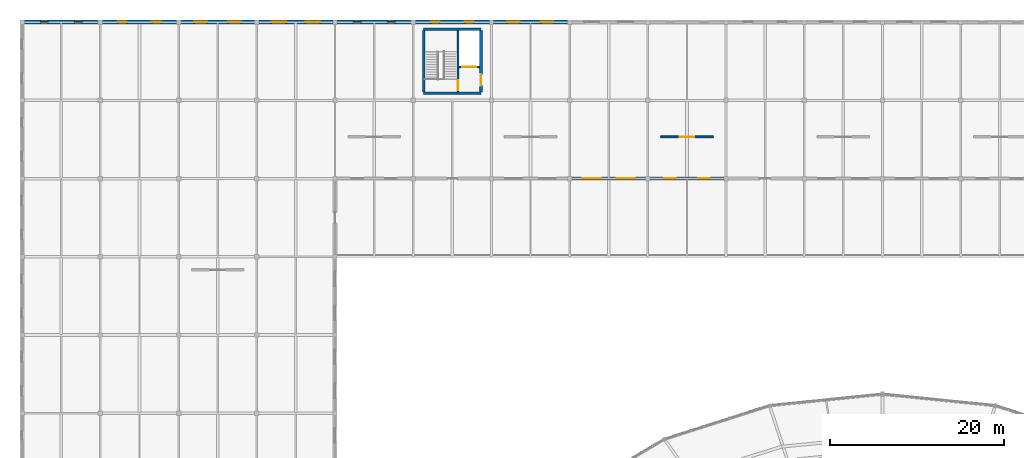
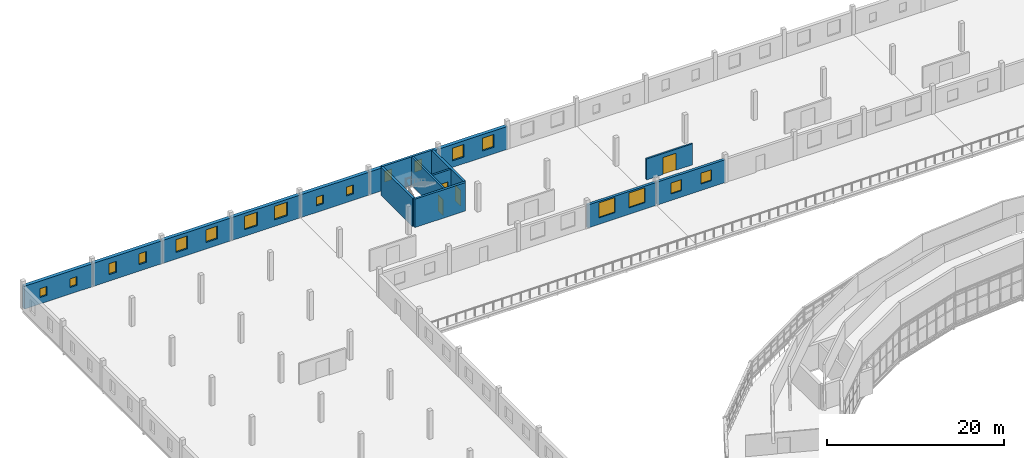
# One storey, part 109 of 123: 18 windows, 16 walls, 4 doors, 22 openings.
"""IFC4 building model written with IfcOpenShell, lengths in metres."""

import ifcopenshell
import ifcopenshell.guid

model = None  # the IFC model being written
_history = None  # IfcOwnerHistory: only IFC2X3 demands one
_inside = {}  # id of a spatial element -> (the spatial element, [elements in it])
_under = {}  # id of a project, library or spatial element -> (it, [spatial elements below it])
_declared = {}  # id of a project -> (the project, [libraries it declares])
_typed = {}  # id of a type object -> (the type object, [elements of that type])
_made_of = {}  # id of a material, layer set ... -> (it, [elements and type objects made of it])


def new_model(schema):
    """Start an empty IFC model of exactly this schema.

    Asked for "IFC4X3", IfcOpenShell would pick the latest addendum, in which some entities
    have other attributes; the version numbers below select the first issue.
    IFC2X3 requires an IfcOwnerHistory on every rooted entity: one is made here for all.
    """
    global model, _history
    if schema == "IFC4X3":
        model = ifcopenshell.file(schema_version=(4, 3, 0, 0))
    else:
        model = ifcopenshell.file(schema=schema)
    _inside.clear()
    _under.clear()
    _declared.clear()
    _typed.clear()
    _made_of.clear()
    _history = None
    if model.schema == "IFC2X3":
        org = make("IfcOrganization", Name="unknown")
        user = make(
            "IfcPersonAndOrganization",
            ThePerson=make("IfcPerson", FamilyName="unknown"),
            TheOrganization=org,
        )
        app = make(
            "IfcApplication",
            ApplicationDeveloper=org,
            Version="unknown",
            ApplicationFullName="unknown",
            ApplicationIdentifier="unknown",
        )
        _history = make(
            "IfcOwnerHistory",
            OwningUser=user,
            OwningApplication=app,
            ChangeAction="ADDED",
            CreationDate=0,
        )
    return model


def make(cls, **values):
    """One entity of the class cls with the attributes given. An attribute that is None is left unset."""
    return model.create_entity(
        cls, **{name: value for name, value in values.items() if value is not None}
    )


def rooted(cls, **values):
    """An entity with a GlobalId (a new one), such as an element, a storey or a relation."""
    return make(cls, GlobalId=ifcopenshell.guid.new(), OwnerHistory=_history, **values)


def si_unit(unit_type, name, prefix=None):
    """IfcSIUnit, for example si_unit("LENGTHUNIT", "METRE", prefix="MILLI")."""
    return make("IfcSIUnit", UnitType=unit_type, Prefix=prefix, Name=name)


def assignment(units):
    """IfcUnitAssignment: the units of a project."""
    return None if units is None else make("IfcUnitAssignment", Units=units)


def point(xyz):
    """IfcCartesianPoint."""
    return None if xyz is None else make("IfcCartesianPoint", Coordinates=xyz)


def direction(xyz):
    """IfcDirection."""
    return None if xyz is None else make("IfcDirection", DirectionRatios=xyz)


def frame(location, z_axis=None, x_axis=None):
    """IfcAxis2Placement3D, a coordinate frame: its origin and axes. An axis left out is left unset."""
    return make(
        "IfcAxis2Placement3D",
        Location=point(location),
        Axis=direction(z_axis),
        RefDirection=direction(x_axis),
    )


def frame_2d(location, x_axis=None):
    """IfcAxis2Placement2D, a coordinate frame in the plane: its origin and x axis."""
    return make(
        "IfcAxis2Placement2D", Location=point(location), RefDirection=direction(x_axis)
    )


def origin():
    """The frame at (0, 0, 0) with its axes left unset."""
    return frame((0.0, 0.0, 0.0))


def place(relative_to, where):
    """IfcLocalPlacement: puts the frame where relative to a parent placement (None: the world)."""
    return make(
        "IfcLocalPlacement", PlacementRelTo=relative_to, RelativePlacement=where
    )


def context(
    kind, dimensions, precision=None, world=None, true_north=None, identifier=None
):
    """IfcGeometricRepresentationContext, for example the 3D "Model" context."""
    return make(
        "IfcGeometricRepresentationContext",
        ContextIdentifier=identifier,
        ContextType=kind,
        CoordinateSpaceDimension=dimensions,
        Precision=precision,
        WorldCoordinateSystem=world,
        TrueNorth=true_north,
    )


def subcontext(parent, identifier, kind, view, scale=None):
    """IfcGeometricRepresentationSubContext, for example "Body" below "Model"."""
    return make(
        "IfcGeometricRepresentationSubContext",
        ContextIdentifier=identifier,
        ContextType=kind,
        ParentContext=parent,
        TargetScale=scale,
        TargetView=view,
    )


def project(units=None, contexts=None):
    """IfcProject with its units and contexts."""
    return rooted(
        "IfcProject",
        Name="project",
        RepresentationContexts=contexts,
        UnitsInContext=assignment(units),
    )


def spatial(cls, under=None, at=None, **own):
    """A site, building, storey or space (cls), placed at a placement, below another one or the project."""
    s = rooted(cls, ObjectPlacement=at, **own)
    if under is not None:
        _under.setdefault(under.id(), (under, []))[1].append(s)
    return s


def profile(cls, at=None, kind="AREA", **sizes):
    """A parametric profile (cls). Its sizes go by their IFC names, for example OverallWidth=200.0."""
    return make(cls, ProfileType=kind, Position=at, **sizes)


def rectangle(**sizes):
    """IfcRectangleProfileDef."""
    return profile("IfcRectangleProfileDef", **sizes)


def extrude(swept, where, along, depth):
    """IfcExtrudedAreaSolid: the profile swept, set in the frame where, extruded along a direction by depth."""
    return make(
        "IfcExtrudedAreaSolid",
        SweptArea=swept,
        Position=where,
        ExtrudedDirection=direction(along),
        Depth=depth,
    )


def shape(context_of_items, identifier, shape_type, items):
    """IfcShapeRepresentation: the items that make up one representation, for example the "Body"."""
    return make(
        "IfcShapeRepresentation",
        ContextOfItems=context_of_items,
        RepresentationIdentifier=identifier,
        RepresentationType=shape_type,
        Items=items,
    )


def material(Name=None, Category=None):
    """IfcMaterial."""
    return make("IfcMaterial", Name=Name, Category=Category)


def layer(
    of_material, thickness, ventilated=None, Name=None, Category=None, Priority=None
):
    """IfcMaterialLayer: one layer of a wall or slab, of a material (None: an air gap)."""
    return make(
        "IfcMaterialLayer",
        Material=of_material,
        LayerThickness=thickness,
        IsVentilated=ventilated,
        Name=Name,
        Category=Category,
        Priority=Priority,
    )


def layer_set(layers, Name=None):
    """IfcMaterialLayerSet."""
    return make("IfcMaterialLayerSet", MaterialLayers=layers, LayerSetName=Name)


def made_of(thing, what):
    """Note that an element or type object is made of a material, layer set ...; save() writes the relation."""
    if what is not None:
        _made_of.setdefault(what.id(), (what, []))[1].append(thing)
    return thing


def type_object(cls, material=None, **own):
    """A type object (cls), such as IfcWallType, which elements share."""
    return made_of(rooted(cls, **own), material)


def element(
    cls,
    number,
    at=None,
    inside=None,
    cuts=None,
    type_object=None,
    material=None,
    context=None,
    identifier="Body",
    shape_type=None,
    held_by="IfcProductDefinitionShape",
    body=None,
    shapes=None,
    **own,
):
    """One element of the class cls, such as IfcWall. Its Tag is "e" and its number.

    at: its placement. inside: the storey or other place that contains it. cuts: it is an
    opening in that element (IfcRelVoidsElement). A single representation is given by context,
    identifier, shape_type and body (its items); several are given by shapes. held_by: the class
    of the entity that holds the representations. save() writes the other relations.
    """
    e = rooted(cls, Tag="e%d" % number, ObjectPlacement=at, **own)
    if body is not None:
        shapes = [shape(context, identifier, shape_type, body)]
    if shapes is not None:
        e.Representation = make(held_by, Representations=shapes)
    if inside is not None:
        _inside.setdefault(inside.id(), (inside, []))[1].append(e)
    if cuts is not None:
        rooted(
            "IfcRelVoidsElement", RelatingBuildingElement=cuts, RelatedOpeningElement=e
        )
    if type_object is not None:
        _typed.setdefault(type_object.id(), (type_object, []))[1].append(e)
    return made_of(e, material)


def fill(opening, filler):
    """IfcRelFillsElement: the door or window that sits in an opening."""
    return rooted(
        "IfcRelFillsElement",
        RelatingOpeningElement=opening,
        RelatedBuildingElement=filler,
    )


def aggregate(whole, parts):
    """IfcRelAggregates: a whole, such as a stair, and the parts it consists of."""
    return rooted("IfcRelAggregates", RelatingObject=whole, RelatedObjects=parts)


def save(model, path):
    """Write the relations noted so far, then the file.

    IfcRelAggregates (storeys below a building ...), IfcRelContainedInSpatialStructure (elements
    in a storey), IfcRelDefinesByType, IfcRelAssociatesMaterial and IfcRelDeclares: one each for
    every whole, place, type object, material and project.
    """
    for whole, parts in _under.values():
        aggregate(whole, parts)
    for where, things in _inside.values():
        rooted(
            "IfcRelContainedInSpatialStructure",
            RelatedElements=things,
            RelatingStructure=where,
        )
    for kind, things in _typed.values():
        rooted("IfcRelDefinesByType", RelatedObjects=things, RelatingType=kind)
    for what, things in _made_of.values():
        rooted("IfcRelAssociatesMaterial", RelatedObjects=things, RelatingMaterial=what)
    for by, libraries in _declared.values():
        rooted("IfcRelDeclares", RelatingContext=by, RelatedDefinitions=libraries)
    model.write(path)


model = new_model("IFC4")

# Units and contexts
model_context = context("Model", 3, precision=1e-05, world=origin(), true_north=direction((0.0, 1.0)))
body_context = subcontext(model_context, "Body", "Model", "MODEL_VIEW")
ifc_project = project(units=[si_unit("LENGTHUNIT", "METRE"), si_unit("AREAUNIT", "SQUARE_METRE"), si_unit("VOLUMEUNIT", "CUBIC_METRE"), si_unit("PLANEANGLEUNIT", "RADIAN"), si_unit("MASSUNIT", "GRAM", prefix="KILO")], contexts=[model_context])

# Site, building, storey
site_placement = place(None, origin())
site = spatial("IfcSite", under=ifc_project, at=site_placement, CompositionType="ELEMENT")
building_placement = place(site_placement, origin())
building = spatial("IfcBuilding", under=site, at=building_placement, Name="Kildeholm Park Wholesale Market", CompositionType="ELEMENT")
storey_placement = place(building_placement, frame((0.0, 0.0, 9.60009765625)))
storey = spatial("IfcBuildingStorey", under=building, at=storey_placement, Name="L02", CompositionType="ELEMENT", Elevation=9.60009765625)

# Wall, openings, windows
ifc_material_1 = material(Name="Precast concrete C40/50 ripening envelope wall", Category="concrete")
ifc_layer_1 = layer(ifc_material_1, 0.449951171875)
ifc_layer_set_1 = layer_set([ifc_layer_1], Name="Precast concrete C40/50 ripening envelope wall")
wall_type_1 = type_object("IfcWallType", Name="Exterior wall W-CS3 450 mm", PredefinedType="SOLIDWALL", material=ifc_layer_set_1)
wall_1_placement = place(storey_placement, frame((0.06005859375, 171.0, 0.0), z_axis=(0.0, 0.0, 1.0), x_axis=(1.0, 0.0, 0.0)))
wall_1 = element("IfcWall", 1, at=wall_1_placement, inside=storey, type_object=wall_type_1, Name="Exterior wall V4N-L02.1 WL-0357", PredefinedType="SOLIDWALL", context=body_context, shape_type="SweptSolid", body=[
    extrude(rectangle(XDim=8.8798828125, YDim=0.449951171875, at=frame_2d((4.43994140625, 0.0))), origin(), (0.0, 0.0, 1.0), 3.14990234375),
])
opening_1_placement = place(wall_1_placement, frame((2.035888671875, 0.0, 0.89990234375)))
opening_1 = element("IfcOpeningElement", 2, at=opening_1_placement, cuts=wall_1, Name="Opening WN-17", PredefinedType="OPENING", context=body_context, shape_type="SweptSolid", body=[
    extrude(rectangle(XDim=0.89990234375, YDim=1.199951171875, at=frame_2d((0.449951171875, 0.60009765625))), frame((0.0, 0.23486328125, 0.0), z_axis=(0.0, -1.0, 0.0), x_axis=(1.0, 0.0, 0.0)), (0.0, 0.0, 1.0), 0.469970703125),
])
opening_2_placement = place(wall_1_placement, frame((5.944091796875, 0.0, 0.89990234375)))
opening_2 = element("IfcOpeningElement", 3, at=opening_2_placement, cuts=wall_1, Name="Opening WN-17", PredefinedType="OPENING", context=body_context, shape_type="SweptSolid", body=[
    extrude(rectangle(XDim=0.89990234375, YDim=1.199951171875, at=frame_2d((0.449951171875, 0.60009765625))), frame((0.0, 0.23486328125, 0.0), z_axis=(0.0, -1.0, 0.0), x_axis=(1.0, 0.0, 0.0)), (0.0, 0.0, 1.0), 0.469970703125),
])
ifc_material_2 = material(Name="Thermally broken aluminium and triple-glazed low-E glass", Category="aluminium")
window_type_1 = type_object("IfcWindowType", Name="Window WN-17 900x1200", PartitioningType="SINGLE_PANEL", PredefinedType="WINDOW", material=ifc_material_2)
window_1_placement = place(opening_1_placement, origin())
window_1 = element("IfcWindow", 4, at=window_1_placement, inside=storey, type_object=window_type_1, Name="Window V4N-L02.1.1 WIN-0141", OverallHeight=1.199951171875, OverallWidth=0.89990234375, PartitioningType="SINGLE_PANEL", PredefinedType="WINDOW", context=body_context, shape_type="SweptSolid", body=[
    extrude(rectangle(XDim=0.89990234375, YDim=1.199951171875, at=frame_2d((0.449951171875, 0.60009765625))), frame((0.0, 0.030029296875, 0.0), z_axis=(0.0, -1.0, 0.0), x_axis=(1.0, 0.0, 0.0)), (0.0, 0.0, 1.0), 0.06005859375),
])
fill(opening_1, window_1)
window_2_placement = place(opening_2_placement, origin())
window_2 = element("IfcWindow", 5, at=window_2_placement, inside=storey, type_object=window_type_1, Name="Window V4N-L02.1.2 WIN-0142", OverallHeight=1.199951171875, OverallWidth=0.89990234375, PartitioningType="SINGLE_PANEL", PredefinedType="WINDOW", context=body_context, shape_type="SweptSolid", body=[
    extrude(rectangle(XDim=0.89990234375, YDim=1.199951171875, at=frame_2d((0.449951171875, 0.60009765625))), frame((0.0, 0.030029296875, 0.0), z_axis=(0.0, -1.0, 0.0), x_axis=(1.0, 0.0, 0.0)), (0.0, 0.0, 1.0), 0.06005859375),
])
fill(opening_2, window_2)

wall_2_placement = place(storey_placement, frame((9.06005859375, 171.0, 0.0), z_axis=(0.0, 0.0, 1.0), x_axis=(1.0, 0.0, 0.0)))
wall_2 = element("IfcWall", 6, at=wall_2_placement, inside=storey, type_object=wall_type_1, Name="Exterior wall V4N-L02.2 WL-0358", PredefinedType="SOLIDWALL", context=body_context, shape_type="SweptSolid", body=[
    extrude(rectangle(XDim=8.8798828125, YDim=0.449951171875, at=frame_2d((4.43994140625, 0.0))), origin(), (0.0, 0.0, 1.0), 3.14990234375),
])
opening_3_placement = place(wall_2_placement, frame((1.986083984375, 0.0, 0.89990234375)))
opening_3 = element("IfcOpeningElement", 7, at=opening_3_placement, cuts=wall_2, Name="Opening WN-09", PredefinedType="OPENING", context=body_context, shape_type="SweptSolid", body=[
    extrude(rectangle(XDim=1.0, YDim=1.5, at=frame_2d((0.5, 0.75))), frame((0.0, 0.23486328125, 0.0), z_axis=(0.0, -1.0, 0.0), x_axis=(1.0, 0.0, 0.0)), (0.0, 0.0, 1.0), 0.469970703125),
])
opening_4_placement = place(wall_2_placement, frame((5.89404296875, 0.0, 0.89990234375)))
opening_4 = element("IfcOpeningElement", 8, at=opening_4_placement, cuts=wall_2, Name="Opening WN-09", PredefinedType="OPENING", context=body_context, shape_type="SweptSolid", body=[
    extrude(rectangle(XDim=1.0, YDim=1.5, at=frame_2d((0.5, 0.75))), frame((0.0, 0.23486328125, 0.0), z_axis=(0.0, -1.0, 0.0), x_axis=(1.0, 0.0, 0.0)), (0.0, 0.0, 1.0), 0.469970703125),
])
window_type_2 = type_object("IfcWindowType", Name="Window WN-09 1000x1500", PartitioningType="SINGLE_PANEL", PredefinedType="WINDOW", material=ifc_material_2)
window_3_placement = place(opening_3_placement, origin())
window_3 = element("IfcWindow", 9, at=window_3_placement, inside=storey, type_object=window_type_2, Name="Window V4N-L02.2.1 WIN-0143", OverallHeight=1.5, OverallWidth=1.0, PartitioningType="SINGLE_PANEL", PredefinedType="WINDOW", context=body_context, shape_type="SweptSolid", body=[
    extrude(rectangle(XDim=1.0, YDim=1.5, at=frame_2d((0.5, 0.75))), frame((0.0, 0.030029296875, 0.0), z_axis=(0.0, -1.0, 0.0), x_axis=(1.0, 0.0, 0.0)), (0.0, 0.0, 1.0), 0.06005859375),
])
fill(opening_3, window_3)
window_4_placement = place(opening_4_placement, origin())
window_4 = element("IfcWindow", 10, at=window_4_placement, inside=storey, type_object=window_type_2, Name="Window V4N-L02.2.2 WIN-0144", OverallHeight=1.5, OverallWidth=1.0, PartitioningType="SINGLE_PANEL", PredefinedType="WINDOW", context=body_context, shape_type="SweptSolid", body=[
    extrude(rectangle(XDim=1.0, YDim=1.5, at=frame_2d((0.5, 0.75))), frame((0.0, 0.030029296875, 0.0), z_axis=(0.0, -1.0, 0.0), x_axis=(1.0, 0.0, 0.0)), (0.0, 0.0, 1.0), 0.06005859375),
])
fill(opening_4, window_4)

wall_3_placement = place(storey_placement, frame((18.06005859375, 171.0, 0.0), z_axis=(0.0, 0.0, 1.0), x_axis=(1.0, 0.0, 0.0)))
wall_3 = element("IfcWall", 11, at=wall_3_placement, inside=storey, type_object=wall_type_1, Name="Exterior wall V4N-L02.3 WL-0359", PredefinedType="SOLIDWALL", context=body_context, shape_type="SweptSolid", body=[
    extrude(rectangle(XDim=8.8798828125, YDim=0.449951171875, at=frame_2d((4.43994140625, 0.0))), origin(), (0.0, 0.0, 1.0), 3.14990234375),
])
opening_5_placement = place(wall_3_placement, frame((1.74609375, 0.0, 0.89990234375)))
opening_5 = element("IfcOpeningElement", 12, at=opening_5_placement, cuts=wall_3, Name="Opening WN-37", PredefinedType="OPENING", context=body_context, shape_type="SweptSolid", body=[
    extrude(rectangle(XDim=1.47998046875, YDim=1.75, at=frame_2d((0.739990234375, 0.875))), frame((0.0, 0.23486328125, 0.0), z_axis=(0.0, -1.0, 0.0), x_axis=(1.0, 0.0, 0.0)), (0.0, 0.0, 1.0), 0.469970703125),
])
opening_6_placement = place(wall_3_placement, frame((5.654052734375, 0.0, 0.89990234375)))
opening_6 = element("IfcOpeningElement", 13, at=opening_6_placement, cuts=wall_3, Name="Opening WN-37", PredefinedType="OPENING", context=body_context, shape_type="SweptSolid", body=[
    extrude(rectangle(XDim=1.47998046875, YDim=1.75, at=frame_2d((0.739990234375, 0.875))), frame((0.0, 0.23486328125, 0.0), z_axis=(0.0, -1.0, 0.0), x_axis=(1.0, 0.0, 0.0)), (0.0, 0.0, 1.0), 0.469970703125),
])
window_type_3 = type_object("IfcWindowType", Name="Window WN-37 1480x1750", PartitioningType="DOUBLE_PANEL_VERTICAL", PredefinedType="WINDOW", material=ifc_material_2)
window_5_placement = place(opening_5_placement, origin())
window_5 = element("IfcWindow", 14, at=window_5_placement, inside=storey, type_object=window_type_3, Name="Window V4N-L02.3.1 WIN-0145", OverallHeight=1.75, OverallWidth=1.47998046875, PartitioningType="SINGLE_PANEL", PredefinedType="WINDOW", context=body_context, shape_type="SweptSolid", body=[
    extrude(rectangle(XDim=1.47998046875, YDim=1.75, at=frame_2d((0.739990234375, 0.875))), frame((0.0, 0.030029296875, 0.0), z_axis=(0.0, -1.0, 0.0), x_axis=(1.0, 0.0, 0.0)), (0.0, 0.0, 1.0), 0.06005859375),
])
fill(opening_5, window_5)
window_6_placement = place(opening_6_placement, origin())
window_6 = element("IfcWindow", 15, at=window_6_placement, inside=storey, type_object=window_type_3, Name="Window V4N-L02.3.2 WIN-0146", OverallHeight=1.75, OverallWidth=1.47998046875, PartitioningType="SINGLE_PANEL", PredefinedType="WINDOW", context=body_context, shape_type="SweptSolid", body=[
    extrude(rectangle(XDim=1.47998046875, YDim=1.75, at=frame_2d((0.739990234375, 0.875))), frame((0.0, 0.030029296875, 0.0), z_axis=(0.0, -1.0, 0.0), x_axis=(1.0, 0.0, 0.0)), (0.0, 0.0, 1.0), 0.06005859375),
])
fill(opening_6, window_6)

wall_4_placement = place(storey_placement, frame((27.06005859375, 171.0, 0.0), z_axis=(0.0, 0.0, 1.0), x_axis=(1.0, 0.0, 0.0)))
wall_4 = element("IfcWall", 16, at=wall_4_placement, inside=storey, type_object=wall_type_1, Name="Exterior wall V4N-L02.4 WL-0360", PredefinedType="SOLIDWALL", context=body_context, shape_type="SweptSolid", body=[
    extrude(rectangle(XDim=8.8798828125, YDim=0.449951171875, at=frame_2d((4.43994140625, 0.0))), origin(), (0.0, 0.0, 1.0), 3.14990234375),
])
opening_7_placement = place(wall_4_placement, frame((1.64599609375, 0.0, 0.89990234375)))
opening_7 = element("IfcOpeningElement", 17, at=opening_7_placement, cuts=wall_4, Name="Opening WN-38", PredefinedType="OPENING", context=body_context, shape_type="SweptSolid", body=[
    extrude(rectangle(XDim=1.679931640625, YDim=1.85009765625, at=frame_2d((0.83984375, 0.925048828125))), frame((0.0, 0.23486328125, 0.0), z_axis=(0.0, -1.0, 0.0), x_axis=(1.0, 0.0, 0.0)), (0.0, 0.0, 1.0), 0.469970703125),
])
opening_8_placement = place(wall_4_placement, frame((5.553955078125, 0.0, 0.89990234375)))
opening_8 = element("IfcOpeningElement", 18, at=opening_8_placement, cuts=wall_4, Name="Opening WN-38", PredefinedType="OPENING", context=body_context, shape_type="SweptSolid", body=[
    extrude(rectangle(XDim=1.679931640625, YDim=1.85009765625, at=frame_2d((0.83984375, 0.925048828125))), frame((0.0, 0.23486328125, 0.0), z_axis=(0.0, -1.0, 0.0), x_axis=(1.0, 0.0, 0.0)), (0.0, 0.0, 1.0), 0.469970703125),
])
window_type_4 = type_object("IfcWindowType", Name="Window WN-38 1680x1850", PartitioningType="DOUBLE_PANEL_VERTICAL", PredefinedType="WINDOW", material=ifc_material_2)
window_7_placement = place(opening_7_placement, origin())
window_7 = element("IfcWindow", 19, at=window_7_placement, inside=storey, type_object=window_type_4, Name="Window V4N-L02.4.1 WIN-0147", OverallHeight=1.85009765625, OverallWidth=1.679931640625, PartitioningType="SINGLE_PANEL", PredefinedType="WINDOW", context=body_context, shape_type="SweptSolid", body=[
    extrude(rectangle(XDim=1.679931640625, YDim=1.85009765625, at=frame_2d((0.83984375, 0.925048828125))), frame((0.0, 0.030029296875, 0.0), z_axis=(0.0, -1.0, 0.0), x_axis=(1.0, 0.0, 0.0)), (0.0, 0.0, 1.0), 0.06005859375),
])
fill(opening_7, window_7)
window_8_placement = place(opening_8_placement, origin())
window_8 = element("IfcWindow", 20, at=window_8_placement, inside=storey, type_object=window_type_4, Name="Window V4N-L02.4.2 WIN-0148", OverallHeight=1.85009765625, OverallWidth=1.679931640625, PartitioningType="SINGLE_PANEL", PredefinedType="WINDOW", context=body_context, shape_type="SweptSolid", body=[
    extrude(rectangle(XDim=1.679931640625, YDim=1.85009765625, at=frame_2d((0.83984375, 0.925048828125))), frame((0.0, 0.030029296875, 0.0), z_axis=(0.0, -1.0, 0.0), x_axis=(1.0, 0.0, 0.0)), (0.0, 0.0, 1.0), 0.06005859375),
])
fill(opening_8, window_8)

wall_5_placement = place(storey_placement, frame((36.06005859375, 171.0, 0.0), z_axis=(0.0, 0.0, 1.0), x_axis=(1.0, 0.0, 0.0)))
wall_5 = element("IfcWall", 21, at=wall_5_placement, inside=storey, type_object=wall_type_1, Name="Exterior wall V4N-L02.5 WL-0361", PredefinedType="SOLIDWALL", context=body_context, shape_type="SweptSolid", body=[
    extrude(rectangle(XDim=8.8798828125, YDim=0.449951171875, at=frame_2d((4.43994140625, 0.0))), origin(), (0.0, 0.0, 1.0), 3.14990234375),
])
opening_9_placement = place(wall_5_placement, frame((2.035888671875, 0.0, 0.89990234375)))
opening_9 = element("IfcOpeningElement", 22, at=opening_9_placement, cuts=wall_5, Name="Opening WN-17", PredefinedType="OPENING", context=body_context, shape_type="SweptSolid", body=[
    extrude(rectangle(XDim=0.89990234375, YDim=1.199951171875, at=frame_2d((0.449951171875, 0.60009765625))), frame((0.0, 0.23486328125, 0.0), z_axis=(0.0, -1.0, 0.0), x_axis=(1.0, 0.0, 0.0)), (0.0, 0.0, 1.0), 0.469970703125),
])
opening_10_placement = place(wall_5_placement, frame((5.944091796875, 0.0, 0.89990234375)))
opening_10 = element("IfcOpeningElement", 23, at=opening_10_placement, cuts=wall_5, Name="Opening WN-17", PredefinedType="OPENING", context=body_context, shape_type="SweptSolid", body=[
    extrude(rectangle(XDim=0.89990234375, YDim=1.199951171875, at=frame_2d((0.449951171875, 0.60009765625))), frame((0.0, 0.23486328125, 0.0), z_axis=(0.0, -1.0, 0.0), x_axis=(1.0, 0.0, 0.0)), (0.0, 0.0, 1.0), 0.469970703125),
])
window_9_placement = place(opening_9_placement, origin())
window_9 = element("IfcWindow", 24, at=window_9_placement, inside=storey, type_object=window_type_1, Name="Window V4N-L02.5.1 WIN-0149", OverallHeight=1.199951171875, OverallWidth=0.89990234375, PartitioningType="SINGLE_PANEL", PredefinedType="WINDOW", context=body_context, shape_type="SweptSolid", body=[
    extrude(rectangle(XDim=0.89990234375, YDim=1.199951171875, at=frame_2d((0.449951171875, 0.60009765625))), frame((0.0, 0.030029296875, 0.0), z_axis=(0.0, -1.0, 0.0), x_axis=(1.0, 0.0, 0.0)), (0.0, 0.0, 1.0), 0.06005859375),
])
fill(opening_9, window_9)
window_10_placement = place(opening_10_placement, origin())
window_10 = element("IfcWindow", 25, at=window_10_placement, inside=storey, type_object=window_type_1, Name="Window V4N-L02.5.2 WIN-0150", OverallHeight=1.199951171875, OverallWidth=0.89990234375, PartitioningType="SINGLE_PANEL", PredefinedType="WINDOW", context=body_context, shape_type="SweptSolid", body=[
    extrude(rectangle(XDim=0.89990234375, YDim=1.199951171875, at=frame_2d((0.449951171875, 0.60009765625))), frame((0.0, 0.030029296875, 0.0), z_axis=(0.0, -1.0, 0.0), x_axis=(1.0, 0.0, 0.0)), (0.0, 0.0, 1.0), 0.06005859375),
])
fill(opening_10, window_10)

wall_6_placement = place(storey_placement, frame((45.06005859375, 171.0, 0.0), z_axis=(0.0, 0.0, 1.0), x_axis=(1.0, 0.0, 0.0)))
wall_6 = element("IfcWall", 26, at=wall_6_placement, inside=storey, type_object=wall_type_1, Name="Exterior wall V4N-L02.6 WL-0362", PredefinedType="SOLIDWALL", context=body_context, shape_type="SweptSolid", body=[
    extrude(rectangle(XDim=8.8798828125, YDim=0.449951171875, at=frame_2d((4.43994140625, 0.0))), origin(), (0.0, 0.0, 1.0), 3.14990234375),
])
opening_11_placement = place(wall_6_placement, frame((1.986083984375, 0.0, 0.89990234375)))
opening_11 = element("IfcOpeningElement", 27, at=opening_11_placement, cuts=wall_6, Name="Opening WN-09", PredefinedType="OPENING", context=body_context, shape_type="SweptSolid", body=[
    extrude(rectangle(XDim=1.0, YDim=1.5, at=frame_2d((0.5, 0.75))), frame((0.0, 0.23486328125, 0.0), z_axis=(0.0, -1.0, 0.0), x_axis=(1.0, 0.0, 0.0)), (0.0, 0.0, 1.0), 0.469970703125),
])
opening_12_placement = place(wall_6_placement, frame((5.89404296875, 0.0, 0.89990234375)))
opening_12 = element("IfcOpeningElement", 28, at=opening_12_placement, cuts=wall_6, Name="Opening WN-09", PredefinedType="OPENING", context=body_context, shape_type="SweptSolid", body=[
    extrude(rectangle(XDim=1.0, YDim=1.5, at=frame_2d((0.5, 0.75))), frame((0.0, 0.23486328125, 0.0), z_axis=(0.0, -1.0, 0.0), x_axis=(1.0, 0.0, 0.0)), (0.0, 0.0, 1.0), 0.469970703125),
])
window_11_placement = place(opening_11_placement, origin())
window_11 = element("IfcWindow", 29, at=window_11_placement, inside=storey, type_object=window_type_2, Name="Window V4N-L02.6.1 WIN-0151", OverallHeight=1.5, OverallWidth=1.0, PartitioningType="SINGLE_PANEL", PredefinedType="WINDOW", context=body_context, shape_type="SweptSolid", body=[
    extrude(rectangle(XDim=1.0, YDim=1.5, at=frame_2d((0.5, 0.75))), frame((0.0, 0.030029296875, 0.0), z_axis=(0.0, -1.0, 0.0), x_axis=(1.0, 0.0, 0.0)), (0.0, 0.0, 1.0), 0.06005859375),
])
fill(opening_11, window_11)
window_12_placement = place(opening_12_placement, origin())
window_12 = element("IfcWindow", 30, at=window_12_placement, inside=storey, type_object=window_type_2, Name="Window V4N-L02.6.2 WIN-0152", OverallHeight=1.5, OverallWidth=1.0, PartitioningType="SINGLE_PANEL", PredefinedType="WINDOW", context=body_context, shape_type="SweptSolid", body=[
    extrude(rectangle(XDim=1.0, YDim=1.5, at=frame_2d((0.5, 0.75))), frame((0.0, 0.030029296875, 0.0), z_axis=(0.0, -1.0, 0.0), x_axis=(1.0, 0.0, 0.0)), (0.0, 0.0, 1.0), 0.06005859375),
])
fill(opening_12, window_12)

wall_7_placement = place(storey_placement, frame((54.06005859375, 171.0, 0.0), z_axis=(0.0, 0.0, 1.0), x_axis=(1.0, 0.0, 0.0)))
wall_7 = element("IfcWall", 31, at=wall_7_placement, inside=storey, type_object=wall_type_1, Name="Exterior wall V4N-L02.7 WL-0363", PredefinedType="SOLIDWALL", context=body_context, shape_type="SweptSolid", body=[
    extrude(rectangle(XDim=8.8798828125, YDim=0.449951171875, at=frame_2d((4.43994140625, 0.0))), origin(), (0.0, 0.0, 1.0), 3.14990234375),
])
opening_13_placement = place(wall_7_placement, frame((1.74609375, 0.0, 0.89990234375)))
opening_13 = element("IfcOpeningElement", 32, at=opening_13_placement, cuts=wall_7, Name="Opening WN-37", PredefinedType="OPENING", context=body_context, shape_type="SweptSolid", body=[
    extrude(rectangle(XDim=1.47998046875, YDim=1.75, at=frame_2d((0.739990234375, 0.875))), frame((0.0, 0.23486328125, 0.0), z_axis=(0.0, -1.0, 0.0), x_axis=(1.0, 0.0, 0.0)), (0.0, 0.0, 1.0), 0.469970703125),
])
opening_14_placement = place(wall_7_placement, frame((5.654052734375, 0.0, 0.89990234375)))
opening_14 = element("IfcOpeningElement", 33, at=opening_14_placement, cuts=wall_7, Name="Opening WN-37", PredefinedType="OPENING", context=body_context, shape_type="SweptSolid", body=[
    extrude(rectangle(XDim=1.47998046875, YDim=1.75, at=frame_2d((0.739990234375, 0.875))), frame((0.0, 0.23486328125, 0.0), z_axis=(0.0, -1.0, 0.0), x_axis=(1.0, 0.0, 0.0)), (0.0, 0.0, 1.0), 0.469970703125),
])
window_13_placement = place(opening_13_placement, origin())
window_13 = element("IfcWindow", 34, at=window_13_placement, inside=storey, type_object=window_type_3, Name="Window V4N-L02.7.1 WIN-0153", OverallHeight=1.75, OverallWidth=1.47998046875, PartitioningType="SINGLE_PANEL", PredefinedType="WINDOW", context=body_context, shape_type="SweptSolid", body=[
    extrude(rectangle(XDim=1.47998046875, YDim=1.75, at=frame_2d((0.739990234375, 0.875))), frame((0.0, 0.030029296875, 0.0), z_axis=(0.0, -1.0, 0.0), x_axis=(1.0, 0.0, 0.0)), (0.0, 0.0, 1.0), 0.06005859375),
])
fill(opening_13, window_13)
window_14_placement = place(opening_14_placement, origin())
window_14 = element("IfcWindow", 35, at=window_14_placement, inside=storey, type_object=window_type_3, Name="Window V4N-L02.7.2 WIN-0154", OverallHeight=1.75, OverallWidth=1.47998046875, PartitioningType="SINGLE_PANEL", PredefinedType="WINDOW", context=body_context, shape_type="SweptSolid", body=[
    extrude(rectangle(XDim=1.47998046875, YDim=1.75, at=frame_2d((0.739990234375, 0.875))), frame((0.0, 0.030029296875, 0.0), z_axis=(0.0, -1.0, 0.0), x_axis=(1.0, 0.0, 0.0)), (0.0, 0.0, 1.0), 0.06005859375),
])
fill(opening_14, window_14)

ifc_material_3 = material(Name="Precast concrete C40/50 architectural rainscreen wall", Category="concrete")
ifc_layer_2 = layer(ifc_material_3, 0.340087890625)
ifc_layer_set_2 = layer_set([ifc_layer_2], Name="Precast concrete C40/50 architectural rainscreen wall")
wall_type_2 = type_object("IfcWallType", Name="Exterior wall W-EX4 340 mm", PredefinedType="SOLIDWALL", material=ifc_layer_set_2)
wall_8_placement = place(storey_placement, frame((63.06005859375, 153.0, 0.0), z_axis=(0.0, 0.0, 1.0), x_axis=(1.0, 0.0, 0.0)))
wall_8 = element("IfcWall", 36, at=wall_8_placement, inside=storey, type_object=wall_type_2, Name="Exterior wall V4S-L02.4 WL-0472", PredefinedType="SOLIDWALL", context=body_context, shape_type="SweptSolid", body=[
    extrude(rectangle(XDim=8.8798828125, YDim=0.340087890625, at=frame_2d((4.43994140625, 0.0))), origin(), (0.0, 0.0, 1.0), 3.14990234375),
])
opening_15_placement = place(wall_8_placement, frame((1.446044921875, 0.0, 0.89990234375)))
opening_15 = element("IfcOpeningElement", 37, at=opening_15_placement, cuts=wall_8, Name="Opening WN-40", PredefinedType="OPENING", context=body_context, shape_type="SweptSolid", body=[
    extrude(rectangle(XDim=2.080078125, YDim=2.050048828125, at=frame_2d((1.0400390625, 1.02490234375))), frame((0.0, 0.179931640625, 0.0), z_axis=(0.0, -1.0, 0.0), x_axis=(1.0, 0.0, 0.0)), (0.0, 0.0, 1.0), 0.360107421875),
])
opening_16_placement = place(wall_8_placement, frame((5.35400390625, 0.0, 0.89990234375)))
opening_16 = element("IfcOpeningElement", 38, at=opening_16_placement, cuts=wall_8, Name="Opening WN-40", PredefinedType="OPENING", context=body_context, shape_type="SweptSolid", body=[
    extrude(rectangle(XDim=2.080078125, YDim=2.050048828125, at=frame_2d((1.0400390625, 1.02490234375))), frame((0.0, 0.179931640625, 0.0), z_axis=(0.0, -1.0, 0.0), x_axis=(1.0, 0.0, 0.0)), (0.0, 0.0, 1.0), 0.360107421875),
])
window_type_5 = type_object("IfcWindowType", Name="Window WN-40 2080x2050", PartitioningType="TRIPLE_PANEL_VERTICAL", PredefinedType="WINDOW", material=ifc_material_2)
window_15_placement = place(opening_15_placement, origin())
window_15 = element("IfcWindow", 39, at=window_15_placement, inside=storey, type_object=window_type_5, Name="Window V4S-L02.4.1 WIN-0269", OverallHeight=2.050048828125, OverallWidth=2.080078125, PartitioningType="SINGLE_PANEL", PredefinedType="WINDOW", context=body_context, shape_type="SweptSolid", body=[
    extrude(rectangle(XDim=2.080078125, YDim=2.050048828125, at=frame_2d((1.0400390625, 1.02490234375))), frame((0.0, 0.030029296875, 0.0), z_axis=(0.0, -1.0, 0.0), x_axis=(1.0, 0.0, 0.0)), (0.0, 0.0, 1.0), 0.06005859375),
])
fill(opening_15, window_15)
window_16_placement = place(opening_16_placement, origin())
window_16 = element("IfcWindow", 40, at=window_16_placement, inside=storey, type_object=window_type_5, Name="Window V4S-L02.4.2 WIN-0270", OverallHeight=2.050048828125, OverallWidth=2.080078125, PartitioningType="SINGLE_PANEL", PredefinedType="WINDOW", context=body_context, shape_type="SweptSolid", body=[
    extrude(rectangle(XDim=2.080078125, YDim=2.050048828125, at=frame_2d((1.0400390625, 1.02490234375))), frame((0.0, 0.030029296875, 0.0), z_axis=(0.0, -1.0, 0.0), x_axis=(1.0, 0.0, 0.0)), (0.0, 0.0, 1.0), 0.06005859375),
])
fill(opening_16, window_16)

wall_9_placement = place(storey_placement, frame((72.06005859375, 153.0, 0.0), z_axis=(0.0, 0.0, 1.0), x_axis=(1.0, 0.0, 0.0)))
wall_9 = element("IfcWall", 41, at=wall_9_placement, inside=storey, type_object=wall_type_2, Name="Exterior wall V4S-L02.5 WL-0473", PredefinedType="SOLIDWALL", context=body_context, shape_type="SweptSolid", body=[
    extrude(rectangle(XDim=8.8798828125, YDim=0.340087890625, at=frame_2d((4.43994140625, 0.0))), origin(), (0.0, 0.0, 1.0), 3.14990234375),
])
opening_17_placement = place(wall_9_placement, frame((1.81103515625, 0.0, 0.89990234375)))
opening_17 = element("IfcOpeningElement", 42, at=opening_17_placement, cuts=wall_9, Name="Opening WN-10", PredefinedType="OPENING", context=body_context, shape_type="SweptSolid", body=[
    extrude(rectangle(XDim=1.35009765625, YDim=1.5, at=frame_2d((0.675048828125, 0.75))), frame((0.0, 0.179931640625, 0.0), z_axis=(0.0, -1.0, 0.0), x_axis=(1.0, 0.0, 0.0)), (0.0, 0.0, 1.0), 0.360107421875),
])
opening_18_placement = place(wall_9_placement, frame((5.718994140625, 0.0, 0.89990234375)))
opening_18 = element("IfcOpeningElement", 43, at=opening_18_placement, cuts=wall_9, Name="Opening WN-10", PredefinedType="OPENING", context=body_context, shape_type="SweptSolid", body=[
    extrude(rectangle(XDim=1.35009765625, YDim=1.5, at=frame_2d((0.675048828125, 0.75))), frame((0.0, 0.179931640625, 0.0), z_axis=(0.0, -1.0, 0.0), x_axis=(1.0, 0.0, 0.0)), (0.0, 0.0, 1.0), 0.360107421875),
])
window_type_6 = type_object("IfcWindowType", Name="Window WN-10 1350x1500", PartitioningType="SINGLE_PANEL", PredefinedType="WINDOW", material=ifc_material_2)
window_17_placement = place(opening_17_placement, origin())
window_17 = element("IfcWindow", 44, at=window_17_placement, inside=storey, type_object=window_type_6, Name="Window V4S-L02.5.1 WIN-0271", OverallHeight=1.5, OverallWidth=1.35009765625, PartitioningType="SINGLE_PANEL", PredefinedType="WINDOW", context=body_context, shape_type="SweptSolid", body=[
    extrude(rectangle(XDim=1.35009765625, YDim=1.5, at=frame_2d((0.675048828125, 0.75))), frame((0.0, 0.030029296875, 0.0), z_axis=(0.0, -1.0, 0.0), x_axis=(1.0, 0.0, 0.0)), (0.0, 0.0, 1.0), 0.06005859375),
])
fill(opening_17, window_17)
window_18_placement = place(opening_18_placement, origin())
window_18 = element("IfcWindow", 45, at=window_18_placement, inside=storey, type_object=window_type_6, Name="Window V4S-L02.5.2 WIN-0272", OverallHeight=1.5, OverallWidth=1.35009765625, PartitioningType="SINGLE_PANEL", PredefinedType="WINDOW", context=body_context, shape_type="SweptSolid", body=[
    extrude(rectangle(XDim=1.35009765625, YDim=1.5, at=frame_2d((0.675048828125, 0.75))), frame((0.0, 0.030029296875, 0.0), z_axis=(0.0, -1.0, 0.0), x_axis=(1.0, 0.0, 0.0)), (0.0, 0.0, 1.0), 0.06005859375),
])
fill(opening_18, window_18)

# Wall, opening, door
ifc_material_4 = material(Name="Insulated ripening chamber airtight partition")
ifc_layer_3 = layer(ifc_material_4, 0.215087890625)
ifc_layer_set_3 = layer_set([ifc_layer_3], Name="Insulated ripening chamber airtight partition")
wall_type_3 = type_object("IfcWallType", Name="Partition W-PT08 215 mm", PredefinedType="PARTITIONING", material=ifc_layer_set_3)
wall_10_placement = place(storey_placement, frame((73.5, 157.800048828125, 0.0), z_axis=(0.0, 0.0, 1.0), x_axis=(1.0, 0.0, 0.0)))
wall_10 = element("IfcWall", 46, at=wall_10_placement, inside=storey, type_object=wall_type_3, Name="Interior partition W-V4-L02-RPS03 WL-0993", PredefinedType="PARTITIONING", context=body_context, shape_type="SweptSolid", body=[
    extrude(rectangle(XDim=6.0, YDim=0.215087890625, at=frame_2d((3.0, 0.0))), origin(), (0.0, 0.0, 1.0), 2.89990234375),
])
opening_19_placement = place(wall_10_placement, frame((2.14990234375, 0.0, 0.0)))
opening_19 = element("IfcOpeningElement", 47, at=opening_19_placement, cuts=wall_10, Name="Opening D-RP01", PredefinedType="OPENING", context=body_context, shape_type="SweptSolid", body=[
    extrude(rectangle(XDim=1.699951171875, YDim=2.35009765625, at=frame_2d((0.85009765625, 1.175048828125))), frame((0.0, 0.117431640625, 0.0), z_axis=(0.0, -1.0, 0.0), x_axis=(1.0, 0.0, 0.0)), (0.0, 0.0, 1.0), 0.235107421875),
])
ifc_material_5 = material(Name="Airtight insulated ripening chamber doorset")
door_type_1 = type_object("IfcDoorType", Name="Interior door D-RP01 1700x2350", OperationType="NOTDEFINED", PredefinedType="DOOR", material=ifc_material_5)
door_1_placement = place(opening_19_placement, origin())
door_1 = element("IfcDoor", 48, at=door_1_placement, inside=storey, type_object=door_type_1, Name="Interior door V4-L02-RPS03 DR-0268 WL-0993", OperationType="SINGLE_SWING_RIGHT", OverallHeight=2.35009765625, OverallWidth=1.699951171875, PredefinedType="DOOR", context=body_context, shape_type="SweptSolid", body=[
    extrude(rectangle(XDim=1.699951171875, YDim=2.35009765625, at=frame_2d((0.85009765625, 1.175048828125))), frame((0.0, 0.02490234375, 0.0), z_axis=(0.0, -1.0, 0.0), x_axis=(1.0, 0.0, 0.0)), (0.0, 0.0, 1.0), 0.050048828125),
])
fill(opening_19, door_1)

# Walls
ifc_material_6 = material(Name="Concrete C40/50", Category="concrete")
ifc_layer_4 = layer(ifc_material_6, 0.300048828125)
ifc_layer_set_4 = layer_set([ifc_layer_4], Name="Concrete C40/50")
wall_type_4 = type_object("IfcWallType", Name="Shear wall W-SH1 300 mm", PredefinedType="SHEAR", material=ifc_layer_set_4)
for number, where, z_axis, x_axis, name in (
    (49, (46.199951171875, 162.800048828125, 0.0), (0.0, 0.0, 1.0), (1.0, 0.0, 0.0), "Core C02 south shear wall L02 WL-0677"),
    (50, (46.199951171875, 170.199951171875, 0.0), (0.0, 0.0, 1.0), (1.0, 0.0, 0.0), "Core C02 north shear wall L02 WL-0678"),
):
    element("IfcWall", number, at=place(storey_placement, frame(where, z_axis=z_axis, x_axis=x_axis)), inside=storey, type_object=wall_type_4, Name=name, PredefinedType="SHEAR", context=body_context, shape_type="SweptSolid", body=[
        extrude(rectangle(XDim=6.60009765625, YDim=0.300048828125, at=frame_2d((3.300048828125, 0.0))), origin(), (0.0, 0.0, 1.0), 3.89990234375),
    ])
wall_11_placement = place(storey_placement, frame((46.199951171875, 162.949951171875, 0.0), z_axis=(0.0, 0.0, 1.0), x_axis=(0.0, 1.0, 0.0)))
element("IfcWall", 51, at=wall_11_placement, inside=storey, type_object=wall_type_4, Name="Core C02 west shear wall L02 WL-0679", PredefinedType="SHEAR", context=body_context, shape_type="SweptSolid", body=[
    extrude(rectangle(XDim=7.10009765625, YDim=0.300048828125, at=frame_2d((3.550048828125, 0.0))), origin(), (0.0, 0.0, 1.0), 3.89990234375),
])

# Wall, opening, door
wall_12_placement = place(storey_placement, frame((52.800048828125, 162.949951171875, 0.0), z_axis=(0.0, 0.0, 1.0), x_axis=(0.0, 1.0, 0.0)))
wall_12 = element("IfcWall", 52, at=wall_12_placement, inside=storey, type_object=wall_type_4, Name="Core C02 east shear wall L02 WL-0680", PredefinedType="SHEAR", context=body_context, shape_type="SweptSolid", body=[
    extrude(rectangle(XDim=7.10009765625, YDim=0.300048828125, at=frame_2d((3.550048828125, 0.0))), origin(), (0.0, 0.0, 1.0), 3.89990234375),
])
opening_20_placement = place(wall_12_placement, frame((0.75, 0.0, 0.0)))
opening_20 = element("IfcOpeningElement", 53, at=opening_20_placement, cuts=wall_12, Name="Opening D-CR02", PredefinedType="OPENING", context=body_context, shape_type="SweptSolid", body=[
    extrude(rectangle(XDim=1.300048828125, YDim=2.14990234375, at=frame_2d((0.64990234375, 1.074951171875))), frame((0.0, 0.159912109375, 0.0), z_axis=(0.0, -1.0, 0.0), x_axis=(1.0, 0.0, 0.0)), (0.0, 0.0, 1.0), 0.320068359375),
])
ifc_material_7 = material(Name="Painted steel core lobby double-leaf doorset", Category="steel")
door_type_2 = type_object("IfcDoorType", Name="Interior door D-CR02 1300x2150", OperationType="NOTDEFINED", PredefinedType="DOOR", material=ifc_material_7)
door_2_placement = place(opening_20_placement, frame((1.300048828125, 0.0, 0.0), z_axis=(0.0, 0.0, 1.0), x_axis=(-1.0, 0.0, 0.0)))
door_2 = element("IfcDoor", 54, at=door_2_placement, inside=storey, type_object=door_type_2, Name="Core C02 lobby entrance door L02 DR-0089 WL-0680", OperationType="DOUBLE_DOOR_SINGLE_SWING", OverallHeight=2.14990234375, OverallWidth=1.300048828125, PredefinedType="DOOR", context=body_context, shape_type="SweptSolid", body=[
    extrude(rectangle(XDim=1.300048828125, YDim=2.14990234375, at=frame_2d((0.64990234375, 1.074951171875))), frame((0.0, 0.02490234375, 0.0), z_axis=(0.0, -1.0, 0.0), x_axis=(1.0, 0.0, 0.0)), (0.0, 0.0, 1.0), 0.050048828125),
])
fill(opening_20, door_2)

ifc_layer_5 = layer(ifc_material_6, 0.25)
ifc_layer_set_5 = layer_set([ifc_layer_5], Name="Concrete C40/50")
wall_type_5 = type_object("IfcWallType", Name="Shear wall W-SH2 250 mm", PredefinedType="SHEAR", material=ifc_layer_set_5)
wall_13_placement = place(storey_placement, frame((50.14990234375, 162.949951171875, 0.0), z_axis=(0.0, 0.0, 1.0), x_axis=(0.0, 1.0, 0.0)))
wall_13 = element("IfcWall", 55, at=wall_13_placement, inside=storey, type_object=wall_type_5, Name="Core C02 shaft wall L02 WL-0681", PredefinedType="SHEAR", context=body_context, shape_type="SweptSolid", body=[
    extrude(rectangle(XDim=7.10009765625, YDim=0.25, at=frame_2d((3.550048828125, 0.0))), origin(), (0.0, 0.0, 1.0), 3.89990234375),
])
opening_21_placement = place(wall_13_placement, frame((0.199951171875, 0.0, 0.0)))
opening_21 = element("IfcOpeningElement", 56, at=opening_21_placement, cuts=wall_13, Name="Opening D-CR01", PredefinedType="OPENING", context=body_context, shape_type="SweptSolid", body=[
    extrude(rectangle(XDim=1.14990234375, YDim=2.14990234375, at=frame_2d((0.574951171875, 1.074951171875))), frame((0.0, 0.135009765625, 0.0), z_axis=(0.0, -1.0, 0.0), x_axis=(1.0, 0.0, 0.0)), (0.0, 0.0, 1.0), 0.27001953125),
])
ifc_material_8 = material(Name="Painted steel fire escape doorset", Category="steel")
door_type_3 = type_object("IfcDoorType", Name="Interior door D-CR01 1150x2150", OperationType="NOTDEFINED", PredefinedType="DOOR", material=ifc_material_8)
door_3_placement = place(opening_21_placement, frame((1.14990234375, 0.0, 0.0), z_axis=(0.0, 0.0, 1.0), x_axis=(-1.0, 0.0, 0.0)))
door_3 = element("IfcDoor", 57, at=door_3_placement, inside=storey, type_object=door_type_3, Name="Core C02 stair fire door L02 DR-0090 WL-0681", OperationType="SINGLE_SWING_RIGHT", OverallHeight=2.14990234375, OverallWidth=1.14990234375, PredefinedType="DOOR", context=body_context, shape_type="SweptSolid", body=[
    extrude(rectangle(XDim=1.14990234375, YDim=2.14990234375, at=frame_2d((0.574951171875, 1.074951171875))), frame((0.0, 0.02490234375, 0.0), z_axis=(0.0, -1.0, 0.0), x_axis=(1.0, 0.0, 0.0)), (0.0, 0.0, 1.0), 0.050048828125),
])
fill(opening_21, door_3)

wall_14_placement = place(storey_placement, frame((50.27001953125, 165.85009765625, 0.0), z_axis=(0.0, 0.0, 1.0), x_axis=(1.0, 0.0, 0.0)))
wall_14 = element("IfcWall", 58, at=wall_14_placement, inside=storey, type_object=wall_type_5, Name="Lift LF-07 shaft front wall L02 WL-0682", PredefinedType="SHEAR", context=body_context, shape_type="SweptSolid", body=[
    extrude(rectangle(XDim=2.3798828125, YDim=0.25, at=frame_2d((1.18994140625, 0.0))), origin(), (0.0, 0.0, 1.0), 3.89990234375),
])
opening_22_placement = place(wall_14_placement, frame((0.389892578125, 0.0, 0.0)))
opening_22 = element("IfcOpeningElement", 59, at=opening_22_placement, cuts=wall_14, Name="Opening LD-07", PredefinedType="OPENING", context=body_context, shape_type="SweptSolid", body=[
    extrude(rectangle(XDim=1.60009765625, YDim=2.300048828125, at=frame_2d((0.800048828125, 1.14990234375))), frame((0.0, 0.135009765625, 0.0), z_axis=(0.0, -1.0, 0.0), x_axis=(1.0, 0.0, 0.0)), (0.0, 0.0, 1.0), 0.27001953125),
])
ifc_material_9 = material(Name="Stainless steel AISI 316 goods lift landing door", Category="steel")
door_type_4 = type_object("IfcDoorType", Name="Interior door D-LD02 1600x2300", OperationType="NOTDEFINED", PredefinedType="DOOR", material=ifc_material_9)
door_4_placement = place(opening_22_placement, origin())
door_4 = element("IfcDoor", 60, at=door_4_placement, inside=storey, type_object=door_type_4, Name="Lift LF-07 sliding landing door L02 DR-0091 WL-0682", OperationType="SLIDING_TO_LEFT", OverallHeight=2.300048828125, OverallWidth=1.60009765625, PredefinedType="DOOR", context=body_context, shape_type="SweptSolid", body=[
    extrude(rectangle(XDim=1.60009765625, YDim=2.300048828125, at=frame_2d((0.800048828125, 1.14990234375))), frame((0.0, 0.02490234375, 0.0), z_axis=(0.0, -1.0, 0.0), x_axis=(1.0, 0.0, 0.0)), (0.0, 0.0, 1.0), 0.050048828125),
])
fill(opening_22, door_4)

save(model, "model.ifc")
